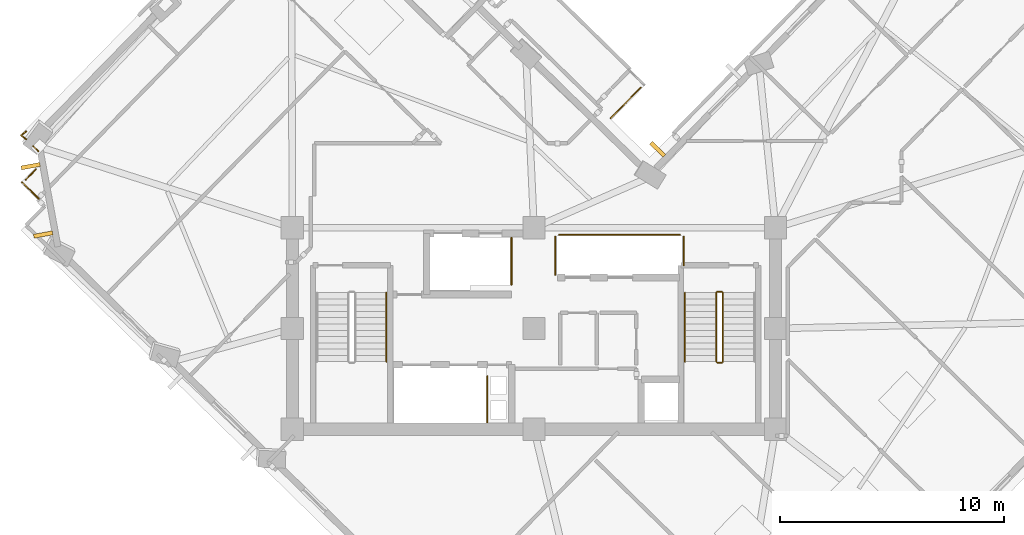
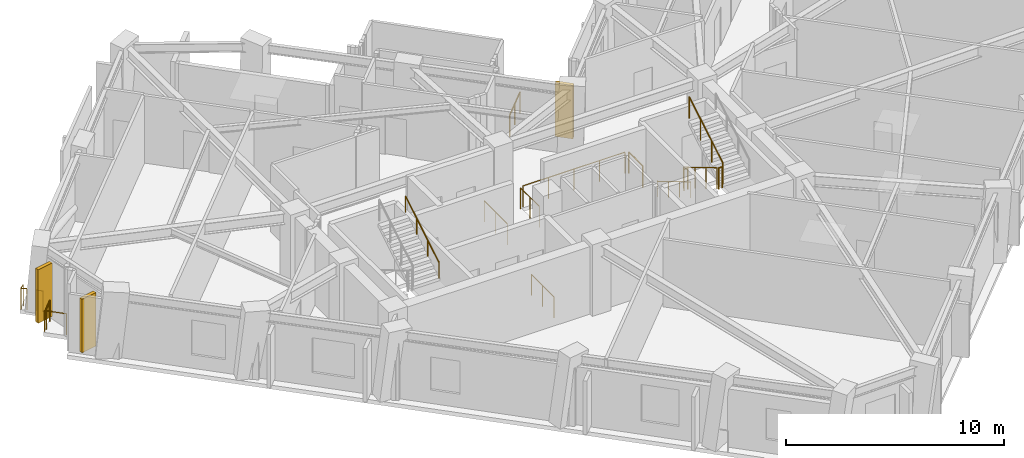
# One storey, part 9 of 12: 16 railings, 3 shading devices.
"""IFC4 building model written with IfcOpenShell, lengths in metres."""

from ifc_helpers import new_model, si_unit, direction, frame, origin, origin_2d, place, context, subcontext, project, spatial, rectangle, circle, extrude, material, layer, layer_set, type_object, element, save


model = new_model("IFC4")

# Units and contexts
model_context = context("Model", 3, precision=1e-05, world=origin(), true_north=direction((0.0, 1.0)))
body_context = subcontext(model_context, "Body", "Model", "MODEL_VIEW")
ifc_project = project(units=[si_unit("LENGTHUNIT", "METRE"), si_unit("AREAUNIT", "SQUARE_METRE"), si_unit("VOLUMEUNIT", "CUBIC_METRE"), si_unit("PLANEANGLEUNIT", "RADIAN"), si_unit("MASSUNIT", "GRAM", prefix="KILO")], contexts=[model_context])

# Site, building, storey
site_placement = place(None, origin())
site = spatial("IfcSite", under=ifc_project, at=site_placement, CompositionType="ELEMENT")
building_placement = place(site_placement, origin())
building = spatial("IfcBuilding", under=site, at=building_placement, Name="Gaonmaruhae Medical Tower", CompositionType="ELEMENT")
storey_placement = place(building_placement, frame((0.0, 0.0, 219.199951171875)))
storey = spatial("IfcBuildingStorey", under=building, at=storey_placement, Name="L52", CompositionType="ELEMENT", Elevation=219.199951171875)

# Railings
ifc_material_1 = material(Name="Stainless steel 316L and laminated safety glass", Category="steel")
ifc_layer = layer(ifc_material_1, 0.080078125)
ifc_layer_set = layer_set([ifc_layer], Name="Stainless steel 316L and laminated safety glass")
railing_type_1 = type_object("IfcRailingType", Name="GD-120 Outdoor Terrace Safety Glass & Steel Balustrade", PredefinedType="BALUSTRADE", material=ifc_layer_set)
railing_1_placement = place(storey_placement, frame((2.661865234375, 18.1044921875, 0.0)))
element("IfcRailing", 1, at=railing_1_placement, inside=storey, type_object=railing_type_1, Name="L52 Perimeter Slab Edge Safety Balustrade 09", PredefinedType="BALUSTRADE", context=body_context, shape_type="SweptSolid", body=[
    extrude(circle(Radius=0.02392578125, at=origin_2d()), frame((0.0, 0.0, 1.17578125), z_axis=(-0.71443846509, 0.699698277545, 0.0), x_axis=(-0.699698277545, -0.71443846509, 0.0)), (0.0, 0.0, 1.0), 1.06005859375),
    extrude(circle(Radius=0.02099609375, at=origin_2d()), origin(), (0.0, 0.0, 1.0), 1.15185546875),
    extrude(circle(Radius=0.02099609375, at=origin_2d()), frame((-0.75732421875, 0.74169921875, 0.0)), (0.0, 0.0, 1.0), 1.15185546875),
])
railing_2_placement = place(storey_placement, frame((2.068603515625, 18.942138671875, 0.0)))
element("IfcRailing", 2, at=railing_2_placement, inside=storey, type_object=railing_type_1, Name="L52 Perimeter Slab Edge Safety Balustrade 10", PredefinedType="BALUSTRADE", context=body_context, shape_type="SweptSolid", body=[
    extrude(circle(Radius=0.02392578125, at=origin_2d()), frame((0.0, 0.0, 1.17578125), z_axis=(0.699483145969, 0.714649094665, 0.0), x_axis=(-0.714649094665, 0.699483145969, 0.0)), (0.0, 0.0, 1.0), 0.659912109375),
    extrude(circle(Radius=0.02099609375, at=origin_2d()), origin(), (0.0, 0.0, 1.0), 1.15185546875),
    extrude(circle(Radius=0.02099609375, at=origin_2d()), frame((0.461669921875, 0.4716796875, 0.0)), (0.0, 0.0, 1.0), 1.15185546875),
])
railing_3_placement = place(storey_placement, frame((2.6396484375, 20.225830078125, 0.0)))
element("IfcRailing", 3, at=railing_3_placement, inside=storey, type_object=railing_type_1, Name="L52 Perimeter Slab Edge Safety Balustrade 11", PredefinedType="BALUSTRADE", context=body_context, shape_type="SweptSolid", body=[
    extrude(circle(Radius=0.02392578125, at=origin_2d()), frame((0.0, 0.0, 1.17578125), z_axis=(-0.714541561736, 0.699592993499, 0.0), x_axis=(-0.699592993499, -0.714541561736, 0.0)), (0.0, 0.0, 1.0), 0.32666015625),
    extrude(circle(Radius=0.02099609375, at=origin_2d()), origin(), (0.0, 0.0, 1.0), 1.15185546875),
    extrude(circle(Radius=0.02099609375, at=origin_2d()), frame((-0.2333984375, 0.228515625, 0.0)), (0.0, 0.0, 1.0), 1.15185546875),
])
railing_4_placement = place(storey_placement, frame((29.5673828125, 23.06884765625, 0.0)))
element("IfcRailing", 4, at=railing_4_placement, inside=storey, type_object=railing_type_1, Name="L52 Perimeter Slab Edge Safety Balustrade 16", PredefinedType="BALUSTRADE", context=body_context, shape_type="SweptSolid", body=[
    extrude(circle(Radius=0.02392578125, at=origin_2d()), frame((0.0, 0.0, 1.17578125), z_axis=(-0.699635602454, -0.714499841693, 0.0), x_axis=(0.714499841693, -0.699635602454, 0.0)), (0.0, 0.0, 1.0), 1.921630859375),
    extrude(circle(Radius=0.02099609375, at=origin_2d()), origin(), (0.0, 0.0, 1.0), 1.15185546875),
    extrude(circle(Radius=0.02099609375, at=origin_2d()), frame((-0.67236328125, -0.6865234375, 0.0)), (0.0, 0.0, 1.0), 1.15185546875),
    extrude(circle(Radius=0.02099609375, at=origin_2d()), frame((-1.344482421875, -1.373046875, 0.0)), (0.0, 0.0, 1.0), 1.15185546875),
])
railing_5_placement = place(storey_placement, frame((2.0966796875, 20.757568359375, 0.0)))
element("IfcRailing", 5, at=railing_5_placement, inside=storey, type_object=railing_type_1, Name="L52 Perimeter Corner Safety Balustrade 19", PredefinedType="BALUSTRADE", context=body_context, shape_type="SweptSolid", body=[
    extrude(circle(Radius=0.02392578125, at=origin_2d()), frame((0.0, 0.0, 1.17578125), z_axis=(-0.794767813927, 0.606913603362, 0.0), x_axis=(-0.606913603362, -0.794767813927, 0.0)), (0.0, 0.0, 1.0), 0.287109375),
    extrude(circle(Radius=0.02392578125, at=origin_2d()), frame((-0.228271484375, 0.17431640625, 1.17578125), z_axis=(0.781697069005, 0.62365831375, 0.0), x_axis=(-0.62365831375, 0.781697069005, 0.0)), (0.0, 0.0, 1.0), 0.287353515625),
    extrude(circle(Radius=0.02099609375, at=origin_2d()), origin(), (0.0, 0.0, 1.0), 1.15185546875),
    extrude(circle(Radius=0.02099609375, at=origin_2d()), frame((-0.228271484375, 0.17431640625, 0.0)), (0.0, 0.0, 1.0), 1.15185546875),
    extrude(circle(Radius=0.02099609375, at=origin_2d()), frame((-0.003662109375, 0.353515625, 0.0)), (0.0, 0.0, 1.0), 1.15185546875),
])
ifc_material_2 = material(Name="Stainless steel 304 handrail", Category="steel")
railing_type_2 = type_object("IfcRailingType", Name="HR-092 Continuous Stainless Steel Stair Handrail", PredefinedType="HANDRAIL", material=ifc_material_2)
railing_6_placement = place(storey_placement, frame((18.199951171875, 10.820068359375, 2.166748046875)))
element("IfcRailing", 6, at=railing_6_placement, inside=storey, type_object=railing_type_2, Name="L52 ST-01 stair handrail 2", PredefinedType="HANDRAIL", context=body_context, shape_type="SweptSolid", body=[
    extrude(circle(Radius=0.02392578125, at=origin_2d()), frame((0.0, 0.0, 0.8759765625), z_axis=(0.0, 0.859290745958, 0.51148745235), x_axis=(-1.0, 0.0, 0.0)), (0.0, 0.0, 1.0), 3.584228515625),
    extrude(circle(Radius=0.02099609375, at=origin_2d()), origin(), (0.0, 0.0, 1.0), 0.851806640625),
    extrude(circle(Radius=0.02099609375, at=origin_2d()), frame((0.0, 1.026611328125, 0.611083984375)), (0.0, 0.0, 1.0), 0.851806640625),
    extrude(circle(Radius=0.02099609375, at=origin_2d()), frame((0.0, 2.05322265625, 1.22216796875)), (0.0, 0.0, 1.0), 0.851806640625),
    extrude(circle(Radius=0.02099609375, at=origin_2d()), frame((0.0, 3.079833984375, 1.833251953125)), (0.0, 0.0, 1.0), 0.851806640625),
])
railing_7_placement = place(storey_placement, frame((31.550048828125, 13.89990234375, 0.166748046875)))
element("IfcRailing", 7, at=railing_7_placement, inside=storey, type_object=railing_type_2, Name="L52 ST-02 stair handrail 1", PredefinedType="HANDRAIL", context=body_context, shape_type="SweptSolid", body=[
    extrude(circle(Radius=0.02392578125, at=origin_2d()), frame((0.0, 0.0, 0.8759765625), z_axis=(0.0, -0.859290745958, 0.51148745235), x_axis=(1.0, 0.0, 0.0)), (0.0, 0.0, 1.0), 3.584228515625),
    extrude(circle(Radius=0.02099609375, at=origin_2d()), origin(), (0.0, 0.0, 1.0), 0.851806640625),
    extrude(circle(Radius=0.02099609375, at=origin_2d()), frame((0.0, -1.026611328125, 0.611083984375)), (0.0, 0.0, 1.0), 0.851806640625),
    extrude(circle(Radius=0.02099609375, at=origin_2d()), frame((0.0, -2.05322265625, 1.22216796875)), (0.0, 0.0, 1.0), 0.851806640625),
    extrude(circle(Radius=0.02099609375, at=origin_2d()), frame((0.0, -3.079833984375, 1.833251953125)), (0.0, 0.0, 1.0), 0.851806640625),
])

# Shading devices
ifc_material_3 = material(Name="Pigmented coral precast concrete C45/55", Category="concrete")
shading_device_type = type_object("IfcShadingDeviceType", Name="SD-FIN1 Tower Vertical Coral Precast Shading Fin", PredefinedType="USERDEFINED", material=ifc_material_3)
for number, where, z_axis, x_axis, name in (
    (8, (30.330810546875, 20.31103515625, 0.08251953125), (0.0, 0.0, 1.0), (0.699675810307, 0.714460468095, 0.0), "L52 Vertical Coral Precast Shading Fin EN02"),
    (9, (2.856201171875, 16.49951171875, 0.132568359375), (0.0, 0.0, 1.0), (-0.180210138257, 0.983628134037, 0.0), "L52 Vertical Coral Precast Shading Fin N03"),
    (10, (2.296142578125, 19.556640625, 0.132568359375), (0.0, 0.0, 1.0), (-0.180210138257, 0.983628134037, 0.0), "L52 Vertical Coral Precast Shading Fin N03B"),
):
    element("IfcShadingDevice", number, at=place(storey_placement, frame(where, z_axis=z_axis, x_axis=x_axis)), inside=storey, type_object=shading_device_type, Name=name, ObjectType="FIN", PredefinedType="USERDEFINED", context=body_context, shape_type="SweptSolid", body=[
        extrude(rectangle(XDim=0.179931640625, YDim=0.85009765625, at=origin_2d()), origin(), (0.0, 0.0, 1.0), 3.0),
    ])

# Railings
ifc_material_4 = material(Name="Stainless steel 304 balustrade", Category="steel")
railing_type_3 = type_object("IfcRailingType", Name="SG-112 Stair Well & Ramp Void Safety Balustrade", PredefinedType="BALUSTRADE", material=ifc_material_4)
railing_8_placement = place(storey_placement, frame((32.949951171875, 13.89990234375, 0.166748046875)))
element("IfcRailing", 11, at=railing_8_placement, inside=storey, type_object=railing_type_3, Name="L52 ST-02 stair guard 1", PredefinedType="BALUSTRADE", context=body_context, shape_type="SweptSolid", body=[
    extrude(circle(Radius=0.02392578125, at=origin_2d()), frame((0.0, 0.0, 1.17578125), z_axis=(0.0, -0.859290745958, 0.51148745235), x_axis=(1.0, 0.0, 0.0)), (0.0, 0.0, 1.0), 3.584228515625),
    extrude(circle(Radius=0.02099609375, at=origin_2d()), origin(), (0.0, 0.0, 1.0), 1.15185546875),
    extrude(circle(Radius=0.02099609375, at=origin_2d()), frame((0.0, -1.026611328125, 0.611083984375)), (0.0, 0.0, 1.0), 1.15185546875),
    extrude(circle(Radius=0.02099609375, at=origin_2d()), frame((0.0, -2.05322265625, 1.22216796875)), (0.0, 0.0, 1.0), 1.15185546875),
    extrude(circle(Radius=0.02099609375, at=origin_2d()), frame((0.0, -3.079833984375, 1.833251953125)), (0.0, 0.0, 1.0), 1.15185546875),
])
railing_9_placement = place(storey_placement, frame((33.0, 10.77001953125, 2.0)))
element("IfcRailing", 12, at=railing_9_placement, inside=storey, type_object=railing_type_3, Name="L52 ST-02 stair guard 2", PredefinedType="BALUSTRADE", context=body_context, shape_type="SweptSolid", body=[
    extrude(circle(Radius=0.02392578125, at=origin_2d()), frame((0.0, 0.0, 1.17578125), z_axis=(1.0, 0.0, 0.0), x_axis=(0.0, 1.0, 0.0)), (0.0, 0.0, 1.0), 0.199951171875),
    extrude(circle(Radius=0.02099609375, at=origin_2d()), origin(), (0.0, 0.0, 1.0), 1.15185546875),
    extrude(circle(Radius=0.02099609375, at=origin_2d()), frame((0.199951171875, 0.0, 0.0)), (0.0, 0.0, 1.0), 1.15185546875),
])
railing_10_placement = place(storey_placement, frame((33.25, 10.820068359375, 2.166748046875)))
element("IfcRailing", 13, at=railing_10_placement, inside=storey, type_object=railing_type_3, Name="L52 ST-02 stair guard 3", PredefinedType="BALUSTRADE", context=body_context, shape_type="SweptSolid", body=[
    extrude(circle(Radius=0.02392578125, at=origin_2d()), frame((0.0, 0.0, 1.17578125), z_axis=(0.0, 0.859290745958, 0.51148745235), x_axis=(-1.0, 0.0, 0.0)), (0.0, 0.0, 1.0), 3.584228515625),
    extrude(circle(Radius=0.02099609375, at=origin_2d()), origin(), (0.0, 0.0, 1.0), 1.15185546875),
    extrude(circle(Radius=0.02099609375, at=origin_2d()), frame((0.0, 1.026611328125, 0.611083984375)), (0.0, 0.0, 1.0), 1.15185546875),
    extrude(circle(Radius=0.02099609375, at=origin_2d()), frame((0.0, 2.05322265625, 1.22216796875)), (0.0, 0.0, 1.0), 1.15185546875),
    extrude(circle(Radius=0.02099609375, at=origin_2d()), frame((0.0, 3.079833984375, 1.833251953125)), (0.0, 0.0, 1.0), 1.15185546875),
])
railing_11_placement = place(storey_placement, frame((33.0, 13.949951171875, 0.0)))
element("IfcRailing", 14, at=railing_11_placement, inside=storey, type_object=railing_type_3, Name="L52 ST-02 stair guard 4", PredefinedType="BALUSTRADE", context=body_context, shape_type="SweptSolid", body=[
    extrude(circle(Radius=0.02392578125, at=origin_2d()), frame((0.0, 0.0, 1.17578125), z_axis=(1.0, 0.0, 0.0), x_axis=(0.0, 1.0, 0.0)), (0.0, 0.0, 1.0), 0.199951171875),
    extrude(circle(Radius=0.02099609375, at=origin_2d()), origin(), (0.0, 0.0, 1.0), 1.15185546875),
    extrude(circle(Radius=0.02099609375, at=origin_2d()), frame((0.199951171875, 0.0, 0.0)), (0.0, 0.0, 1.0), 1.15185546875),
])
railing_12_placement = place(storey_placement, frame((22.719970703125, 10.159912109375, 0.0)))
element("IfcRailing", 15, at=railing_12_placement, inside=storey, type_object=railing_type_3, Name="L52 Shaft Edge Safety Guard 21", PredefinedType="BALUSTRADE", context=body_context, shape_type="SweptSolid", body=[
    extrude(circle(Radius=0.02392578125, at=origin_2d()), frame((0.0, 0.0, 1.17578125), z_axis=(0.0, -1.0, 0.0), x_axis=(1.0, 0.0, 0.0)), (0.0, 0.0, 1.0), 2.06494140625),
    extrude(circle(Radius=0.02099609375, at=origin_2d()), origin(), (0.0, 0.0, 1.0), 1.15185546875),
    extrude(circle(Radius=0.02099609375, at=origin_2d()), frame((0.0, -1.032470703125, 0.0)), (0.0, 0.0, 1.0), 1.15185546875),
    extrude(circle(Radius=0.02099609375, at=origin_2d()), frame((0.0, -2.06494140625, 0.0)), (0.0, 0.0, 1.0), 1.15185546875),
])
railing_13_placement = place(storey_placement, frame((23.794921875, 16.35498046875, 0.0)))
element("IfcRailing", 16, at=railing_13_placement, inside=storey, type_object=railing_type_3, Name="L52 Shaft Edge Safety Guard 22", PredefinedType="BALUSTRADE", context=body_context, shape_type="SweptSolid", body=[
    extrude(circle(Radius=0.02392578125, at=origin_2d()), frame((0.0, 0.0, 1.17578125), z_axis=(0.0, -1.0, 0.0), x_axis=(1.0, 0.0, 0.0)), (0.0, 0.0, 1.0), 2.10986328125),
    extrude(circle(Radius=0.02099609375, at=origin_2d()), origin(), (0.0, 0.0, 1.0), 1.15185546875),
    extrude(circle(Radius=0.02099609375, at=origin_2d()), frame((0.0, -1.054931640625, 0.0)), (0.0, 0.0, 1.0), 1.15185546875),
    extrude(circle(Radius=0.02099609375, at=origin_2d()), frame((0.0, -2.10986328125, 0.0)), (0.0, 0.0, 1.0), 1.15185546875),
])
railing_14_placement = place(storey_placement, frame((31.4951171875, 16.405029296875, 0.0)))
element("IfcRailing", 17, at=railing_14_placement, inside=storey, type_object=railing_type_3, Name="L52 Shaft Edge Safety Guard 23", PredefinedType="BALUSTRADE", context=body_context, shape_type="SweptSolid", body=[
    extrude(circle(Radius=0.02392578125, at=origin_2d()), frame((0.0, 0.0, 1.17578125), z_axis=(0.0, -1.0, 0.0), x_axis=(1.0, 0.0, 0.0)), (0.0, 0.0, 1.0), 1.284912109375),
    extrude(circle(Radius=0.02099609375, at=origin_2d()), origin(), (0.0, 0.0, 1.0), 1.15185546875),
    extrude(circle(Radius=0.02099609375, at=origin_2d()), frame((0.0, -1.284912109375, 0.0)), (0.0, 0.0, 1.0), 1.15185546875),
])
railing_15_placement = place(storey_placement, frame((25.7548828125, 14.695068359375, 0.0)))
element("IfcRailing", 18, at=railing_15_placement, inside=storey, type_object=railing_type_3, Name="L52 Shaft Edge Safety Guard 24", PredefinedType="BALUSTRADE", context=body_context, shape_type="SweptSolid", body=[
    extrude(circle(Radius=0.02392578125, at=origin_2d()), frame((0.0, 0.0, 1.17578125), z_axis=(0.0, 1.0, 0.0), x_axis=(-1.0, 0.0, 0.0)), (0.0, 0.0, 1.0), 1.7099609375),
    extrude(circle(Radius=0.02099609375, at=origin_2d()), origin(), (0.0, 0.0, 1.0), 1.15185546875),
    extrude(circle(Radius=0.02099609375, at=origin_2d()), frame((0.0, 0.85498046875, 0.0)), (0.0, 0.0, 1.0), 1.15185546875),
    extrude(circle(Radius=0.02099609375, at=origin_2d()), frame((0.0, 1.7099609375, 0.0)), (0.0, 0.0, 1.0), 1.15185546875),
])
railing_16_placement = place(storey_placement, frame((25.919921875, 16.4951171875, 0.0)))
element("IfcRailing", 19, at=railing_16_placement, inside=storey, type_object=railing_type_3, Name="L52 Shaft Edge Safety Guard 25", PredefinedType="BALUSTRADE", context=body_context, shape_type="SweptSolid", body=[
    extrude(circle(Radius=0.02392578125, at=origin_2d()), frame((0.0, 0.0, 1.17578125), z_axis=(1.0, 0.0, 0.0), x_axis=(0.0, 1.0, 0.0)), (0.0, 0.0, 1.0), 5.41015625),
    extrude(circle(Radius=0.02099609375, at=origin_2d()), origin(), (0.0, 0.0, 1.0), 1.15185546875),
    extrude(circle(Radius=0.02099609375, at=origin_2d()), frame((1.3525390625, 0.0, 0.0)), (0.0, 0.0, 1.0), 1.15185546875),
    extrude(circle(Radius=0.02099609375, at=origin_2d()), frame((2.705078125, 0.0, 0.0)), (0.0, 0.0, 1.0), 1.15185546875),
    extrude(circle(Radius=0.02099609375, at=origin_2d()), frame((4.0576171875, 0.0, 0.0)), (0.0, 0.0, 1.0), 1.15185546875),
    extrude(circle(Radius=0.02099609375, at=origin_2d()), frame((5.41015625, 0.0, 0.0)), (0.0, 0.0, 1.0), 1.15185546875),
])

save(model, "model.ifc")
